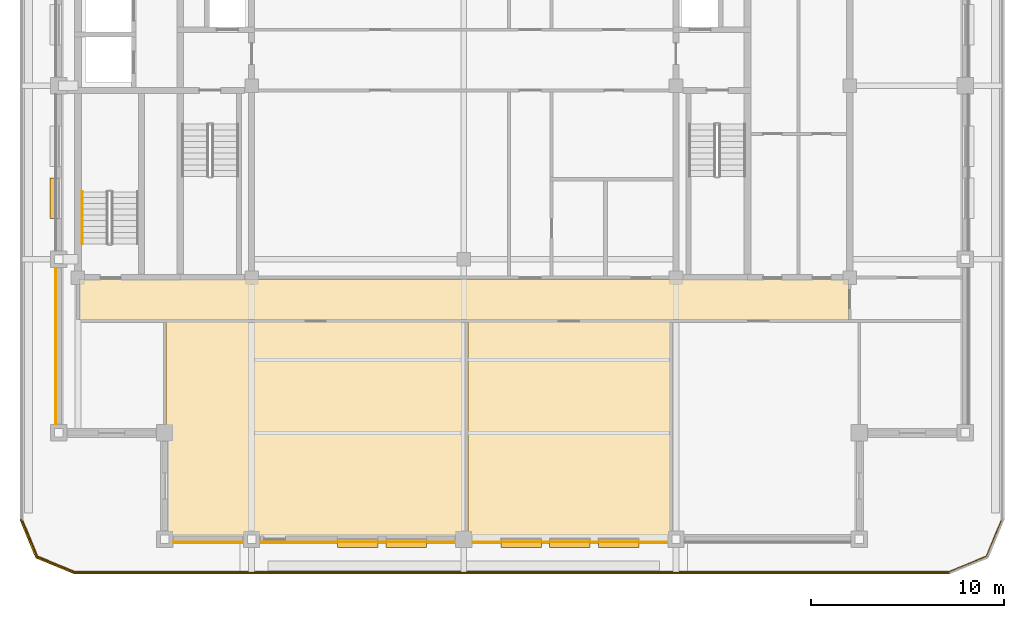
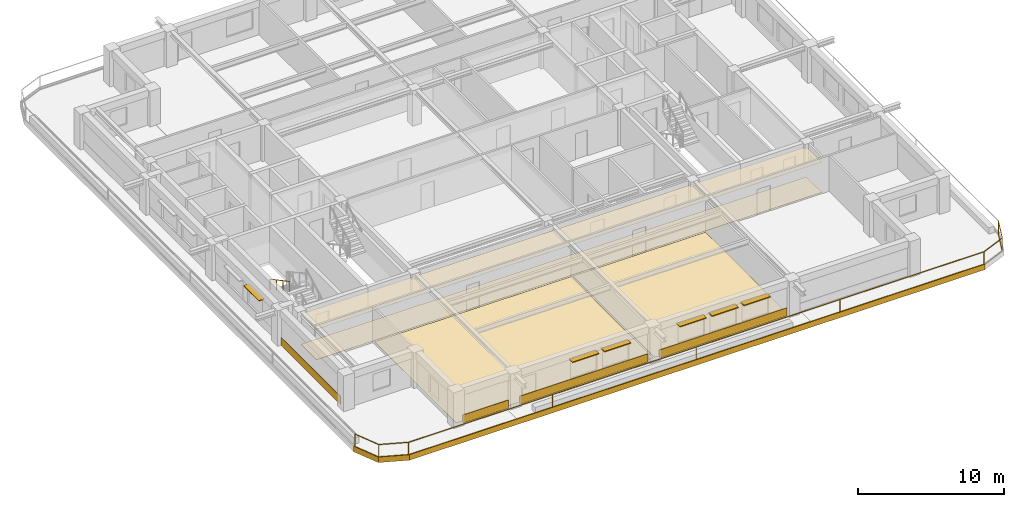
# One storey, part 7 of 11: 11 coverings, 6 shading devices, 2 railings.
"""IFC4 building model written with IfcOpenShell, lengths in metres."""

from ifc_helpers import new_model, si_unit, direction, frame, frame_2d, origin, origin_2d, place, context, subcontext, project, spatial, polyline, rectangle, outline, extrude, material, layer, layer_set, type_object, element, save


model = new_model("IFC4")

# Units and contexts
model_context = context("Model", 3, precision=1e-05, world=origin(), true_north=direction((0.0, 1.0)))
body_context = subcontext(model_context, "Body", "Model", "MODEL_VIEW")
ifc_project = project(units=[si_unit("LENGTHUNIT", "METRE"), si_unit("AREAUNIT", "SQUARE_METRE"), si_unit("VOLUMEUNIT", "CUBIC_METRE"), si_unit("PLANEANGLEUNIT", "RADIAN"), si_unit("MASSUNIT", "GRAM", prefix="KILO")], contexts=[model_context])

# Site, building, storey
site_placement = place(None, origin())
site = spatial("IfcSite", under=ifc_project, at=site_placement, CompositionType="ELEMENT")
building_placement = place(site_placement, origin())
building = spatial("IfcBuilding", under=site, at=building_placement, Name="Zulmaris Gate Convention Tower", CompositionType="ELEMENT")
storey_placement = place(building_placement, frame((0.0, 0.0, 242.969970703125)))
storey = spatial("IfcBuildingStorey", under=building, at=storey_placement, Name="L64", CompositionType="ELEMENT", Elevation=242.969970703125)

# Coverings
ifc_material_1 = material(Name="Precast concrete C40/50", Category="concrete")
ifc_layer_1 = layer(ifc_material_1, 0.0400390625, Name="Precast concrete C40/50")
ifc_layer_set_1 = layer_set([ifc_layer_1], Name="Precast concrete C40/50")
covering_type_1 = type_object("IfcCoveringType", Name="CLAD-SPANDREL-PRECAST", PredefinedType="CLADDING", material=ifc_layer_set_1)
covering_1_placement = place(storey_placement, frame((-15.044921875, -23.64990234375, 0.0), z_axis=(0.0, 0.0, 1.0), x_axis=(1.0, 0.0, 0.0)))
element("IfcCovering", 1, at=covering_1_placement, inside=storey, type_object=covering_type_1, Name="CLD-L64-S-0_0", PredefinedType="CLADDING", context=body_context, shape_type="SweptSolid", body=[
    extrude(rectangle(XDim=3.58984375, YDim=0.0400390625, at=frame_2d((1.794921875, 0.0))), origin(), (0.0, 0.0, 1.0), 0.679931640625),
])
for number, where, z_axis, x_axis, name in (
    (2, (-10.544921875, -23.64990234375, 0.0), (0.0, 0.0, 1.0), (1.0, 0.0, 0.0), "CLD-L64-S-1_0"),
    (3, (0.455078125, -23.64990234375, 0.0), (0.0, 0.0, 1.0), (1.0, 0.0, 0.0), "CLD-L64-S-2_0"),
):
    element("IfcCovering", number, at=place(storey_placement, frame(where, z_axis=z_axis, x_axis=x_axis)), inside=storey, type_object=covering_type_1, Name=name, PredefinedType="CLADDING", context=body_context, shape_type="SweptSolid", body=[
        extrude(rectangle(XDim=10.08984375, YDim=0.0400390625, at=frame_2d((5.044921875, 0.0))), origin(), (0.0, 0.0, 1.0), 0.679931640625),
    ])
covering_2_placement = place(storey_placement, frame((-21.14990234375, -9.455078125, 0.0), z_axis=(0.0, 0.0, 1.0), x_axis=(0.0, -1.0, 0.0)))
element("IfcCovering", 4, at=covering_2_placement, inside=storey, type_object=covering_type_1, Name="CLD-L64-W-0_0", PredefinedType="CLADDING", context=body_context, shape_type="SweptSolid", body=[
    extrude(rectangle(XDim=8.08984375, YDim=0.0400390625, at=frame_2d((4.044921875, 0.0))), origin(), (0.0, 0.0, 1.0), 0.679931640625),
])
ifc_material_2 = material(Name="White Glazed Architectural Precast Concrete C40/50", Category="concrete")
ifc_layer_2 = layer(ifc_material_2, 0.080078125, Name="White Glazed Architectural Precast Concrete C40/50")
ifc_layer_set_2 = layer_set([ifc_layer_2], Name="White Glazed Architectural Precast Concrete C40/50")
covering_type_2 = type_object("IfcCoveringType", Name="CLAD-TRAY-FASCIA", PredefinedType="CLADDING", material=ifc_layer_set_2)
covering_3_placement = place(storey_placement, frame((-22.962890625, -22.484619140625, -0.2900390625), z_axis=(0.0, 0.0, 1.0), x_axis=(0.382656984709, -0.923890487046, 0.0)))
element("IfcCovering", 5, at=covering_3_placement, inside=storey, type_object=covering_type_2, Name="FSC-L64-TR-00", PredefinedType="CLADDING", context=body_context, shape_type="SweptSolid", body=[
    extrude(rectangle(XDim=2.14306640625, YDim=0.080078125, at=frame_2d((1.071533203125, 0.0))), origin(), (0.0, 0.0, 1.0), 0.4599609375),
])
covering_4_placement = place(storey_placement, frame((-22.16455078125, -24.44287109375, -0.2900390625), z_axis=(0.0, 0.0, 1.0), x_axis=(0.923873803533, -0.382697263049, 0.0)))
element("IfcCovering", 6, at=covering_4_placement, inside=storey, type_object=covering_type_2, Name="FSC-L64-TR-01", PredefinedType="CLADDING", context=body_context, shape_type="SweptSolid", body=[
    extrude(rectangle(XDim=2.142822265625, YDim=0.080078125, at=frame_2d((1.0712890625, 0.0))), origin(), (0.0, 0.0, 1.0), 0.4599609375),
])
covering_5_placement = place(storey_placement, frame((-20.199951171875, -25.260009765625, -0.2900390625), z_axis=(0.0, 0.0, 1.0), x_axis=(1.0, 0.0, 0.0)))
element("IfcCovering", 7, at=covering_5_placement, inside=storey, type_object=covering_type_2, Name="FSC-L64-TR-02", PredefinedType="CLADDING", context=body_context, shape_type="SweptSolid", body=[
    extrude(rectangle(XDim=45.39990234375, YDim=0.080078125, at=frame_2d((22.699951171875, 0.0))), origin(), (0.0, 0.0, 1.0), 0.4599609375),
])
ifc_material_3 = material(Name="Mineral Fibre Acoustic Ceiling Tile")
ifc_layer_3 = layer(ifc_material_3, 0.02001953125, Name="Mineral Fibre Acoustic Ceiling Tile")
ifc_layer_set_3 = layer_set([ifc_layer_3], Name="Mineral Fibre Acoustic Ceiling Tile")
covering_type_3 = type_object("IfcCoveringType", Name="CLG-ACOUSTIC-600", PredefinedType="CEILING", material=ifc_layer_set_3)
covering_6_placement = place(storey_placement, frame((0.0, 0.0, 2.5380859375)))
element("IfcCovering", 8, at=covering_6_placement, inside=storey, type_object=covering_type_3, Name="CLG-L64-R32", PredefinedType="CEILING", context=body_context, shape_type="SweptSolid", body=[
    extrude(outline(polyline([(-19.93994140625, -12.139892578125), (19.93994140625, -12.139892578125), (19.93994140625, -10.010009765625), (-19.93994140625, -10.010009765625), (-19.93994140625, -12.139892578125)])), origin(), (0.0, 0.0, 1.0), 0.02001953125),
])
ifc_material_4 = material(Name="Woven Acoustic Wool Carpet Tile")
ifc_layer_4 = layer(ifc_material_4, 0.02001953125, Name="Woven Acoustic Wool Carpet Tile")
ifc_layer_set_4 = layer_set([ifc_layer_4], Name="Woven Acoustic Wool Carpet Tile")
covering_type_4 = type_object("IfcCoveringType", Name="FLR-CARPET-12", PredefinedType="FLOORING", material=ifc_layer_set_4)
covering_7_placement = place(storey_placement, origin())
element("IfcCovering", 9, at=covering_7_placement, inside=storey, type_object=covering_type_4, Name="FLR-L64-R32", PredefinedType="FLOORING", context=body_context, shape_type="SweptSolid", body=[
    extrude(outline(polyline([(-19.93994140625, -12.139892578125), (19.93994140625, -12.139892578125), (19.93994140625, -10.010009765625), (-19.93994140625, -10.010009765625), (-19.93994140625, -12.139892578125)])), origin(), (0.0, 0.0, 1.0), 0.02001953125),
])
covering_8_placement = place(storey_placement, origin())
element("IfcCovering", 10, at=covering_8_placement, inside=storey, type_object=covering_type_4, Name="FLR-L64-R40", PredefinedType="FLOORING", context=body_context, shape_type="SweptSolid", body=[
    extrude(outline(polyline([(0.2099609375, -23.43994140625), (10.68994140625, -23.43994140625), (10.68994140625, -12.260009765625), (0.2099609375, -12.260009765625), (0.2099609375, -23.43994140625)])), origin(), (0.0, 0.0, 1.0), 0.02001953125),
])
ifc_material_5 = material(Name="Engineered Teak Parquet Flooring")
ifc_layer_5 = layer(ifc_material_5, 0.02001953125, Name="Engineered Teak Parquet Flooring")
ifc_layer_set_5 = layer_set([ifc_layer_5], Name="Engineered Teak Parquet Flooring")
covering_type_5 = type_object("IfcCoveringType", Name="FLR-TIMBER-18", PredefinedType="FLOORING", material=ifc_layer_set_5)
covering_9_placement = place(storey_placement, origin())
element("IfcCovering", 11, at=covering_9_placement, inside=storey, type_object=covering_type_5, Name="FLR-L64-R39", PredefinedType="FLOORING", context=body_context, shape_type="SweptSolid", body=[
    extrude(outline(polyline([(-15.43994140625, -23.43994140625), (0.090087890625, -23.43994140625), (0.090087890625, -12.260009765625), (-15.43994140625, -12.260009765625), (-15.43994140625, -23.43994140625)])), origin(), (0.0, 0.0, 1.0), 0.02001953125),
])

# Railings
ifc_material_6 = material(Name="Laminated Glass and Stainless Steel", Category="steel")
railing_type_1 = type_object("IfcRailingType", Name="RL-BALC-1150", PredefinedType="BALUSTRADE", material=ifc_material_6)
railing_1_placement = place(storey_placement, frame((-22.8798828125, -22.5, 0.010009765625)))
element("IfcRailing", 12, at=railing_1_placement, inside=storey, type_object=railing_type_1, Name="RL-L64-BALC-S", PredefinedType="BALUSTRADE", context=body_context, shape_type="SweptSolid", body=[
    extrude(rectangle(XDim=0.048095703125, YDim=0.048095703125, at=origin_2d()), frame((0.0, 0.0, 1.1259765625), z_axis=(0.382670664694, -0.92388482095, 0.0), x_axis=(0.92388482095, 0.382670664694, 0.0)), (0.0, 0.0, 1.0), 2.051025390625),
    extrude(rectangle(XDim=0.048095703125, YDim=0.048095703125, at=origin_2d()), frame((0.0, 0.0, 0.02392578125), z_axis=(0.382670664694, -0.92388482095, 0.0), x_axis=(0.92388482095, 0.382670664694, 0.0)), (0.0, 0.0, 1.0), 2.051025390625),
    extrude(rectangle(XDim=0.048095703125, YDim=0.048095703125, at=origin_2d()), frame((0.784912109375, -1.89501953125, 1.1259765625), z_axis=(0.92388482095, -0.382670664694, 0.0), x_axis=(0.382670664694, 0.92388482095, 0.0)), (0.0, 0.0, 1.0), 2.051025390625),
    extrude(rectangle(XDim=0.048095703125, YDim=0.048095703125, at=origin_2d()), frame((0.784912109375, -1.89501953125, 0.02392578125), z_axis=(0.92388482095, -0.382670664694, 0.0), x_axis=(0.382670664694, 0.92388482095, 0.0)), (0.0, 0.0, 1.0), 2.051025390625),
    extrude(rectangle(XDim=0.048095703125, YDim=0.048095703125, at=origin_2d()), frame((2.679931640625, -2.679931640625, 1.1259765625), z_axis=(1.0, 0.0, 0.0), x_axis=(0.0, 1.0, 0.0)), (0.0, 0.0, 1.0), 45.39990234375),
    extrude(rectangle(XDim=0.048095703125, YDim=0.048095703125, at=origin_2d()), frame((2.679931640625, -2.679931640625, 0.02392578125), z_axis=(1.0, 0.0, 0.0), x_axis=(0.0, 1.0, 0.0)), (0.0, 0.0, 1.0), 45.39990234375),
    extrude(rectangle(XDim=0.048095703125, YDim=0.048095703125, at=origin_2d()), frame((48.079833984375, -2.679931640625, 1.1259765625), z_axis=(0.92388482095, 0.382670664694, 0.0), x_axis=(-0.382670664694, 0.92388482095, 0.0)), (0.0, 0.0, 1.0), 2.051025390625),
    extrude(rectangle(XDim=0.048095703125, YDim=0.048095703125, at=origin_2d()), frame((48.079833984375, -2.679931640625, 0.02392578125), z_axis=(0.92388482095, 0.382670664694, 0.0), x_axis=(-0.382670664694, 0.92388482095, 0.0)), (0.0, 0.0, 1.0), 2.051025390625),
    extrude(rectangle(XDim=0.048095703125, YDim=0.048095703125, at=origin_2d()), frame((49.974853515625, -1.89501953125, 1.1259765625), z_axis=(0.382670664694, 0.92388482095, 0.0), x_axis=(-0.92388482095, 0.382670664694, 0.0)), (0.0, 0.0, 1.0), 2.051025390625),
    extrude(rectangle(XDim=0.048095703125, YDim=0.048095703125, at=origin_2d()), frame((49.974853515625, -1.89501953125, 0.02392578125), z_axis=(0.382670664694, 0.92388482095, 0.0), x_axis=(-0.92388482095, 0.382670664694, 0.0)), (0.0, 0.0, 1.0), 2.051025390625),
    extrude(rectangle(XDim=0.0419921875, YDim=0.0419921875, at=origin_2d()), origin(), (0.0, 0.0, 1.0), 1.101806640625),
    extrude(rectangle(XDim=0.0419921875, YDim=0.0419921875, at=origin_2d()), frame((0.784912109375, -1.89501953125, 0.0)), (0.0, 0.0, 1.0), 1.101806640625),
    extrude(rectangle(XDim=0.0419921875, YDim=0.0419921875, at=origin_2d()), frame((2.679931640625, -2.679931640625, 0.0)), (0.0, 0.0, 1.0), 1.101806640625),
    extrude(rectangle(XDim=0.0419921875, YDim=0.0419921875, at=origin_2d()), frame((14.02978515625, -2.679931640625, 0.0)), (0.0, 0.0, 1.0), 1.101806640625),
    extrude(rectangle(XDim=0.0419921875, YDim=0.0419921875, at=origin_2d()), frame((25.3798828125, -2.679931640625, 0.0)), (0.0, 0.0, 1.0), 1.101806640625),
    extrude(rectangle(XDim=0.0419921875, YDim=0.0419921875, at=origin_2d()), frame((36.72998046875, -2.679931640625, 0.0)), (0.0, 0.0, 1.0), 1.101806640625),
    extrude(rectangle(XDim=0.0419921875, YDim=0.0419921875, at=origin_2d()), frame((48.079833984375, -2.679931640625, 0.0)), (0.0, 0.0, 1.0), 1.101806640625),
    extrude(rectangle(XDim=0.0419921875, YDim=0.0419921875, at=origin_2d()), frame((49.974853515625, -1.89501953125, 0.0)), (0.0, 0.0, 1.0), 1.101806640625),
    extrude(rectangle(XDim=0.0419921875, YDim=0.0419921875, at=origin_2d()), frame((50.759765625, 0.0, 0.0)), (0.0, 0.0, 1.0), 1.101806640625),
])
ifc_material_7 = material(Name="Brushed Stainless Steel", Category="steel")
railing_type_2 = type_object("IfcRailingType", Name="RL-STH-900", PredefinedType="HANDRAIL", material=ifc_material_7)
railing_2_placement = place(storey_placement, frame((-19.77001953125, -5.5, 1.776611328125)))
element("IfcRailing", 13, at=railing_2_placement, inside=storey, type_object=railing_type_2, Name="L64 ST-3 stair handrail 2", PredefinedType="HANDRAIL", context=body_context, shape_type="SweptSolid", body=[
    extrude(rectangle(XDim=0.048095703125, YDim=0.048095703125, at=origin_2d()), frame((0.0, 0.0, 0.8759765625), z_axis=(0.0, -0.880532452117, 0.47398586558), x_axis=(1.0, 0.0, 0.0)), (0.0, 0.0, 1.0), 3.066162109375),
    extrude(rectangle(XDim=0.0419921875, YDim=0.0419921875, at=origin_2d()), origin(), (0.0, 0.0, 1.0), 0.851806640625),
    extrude(rectangle(XDim=0.0419921875, YDim=0.0419921875, at=origin_2d()), frame((0.0, -0.89990234375, 0.484375)), (0.0, 0.0, 1.0), 0.851806640625),
    extrude(rectangle(XDim=0.0419921875, YDim=0.0419921875, at=origin_2d()), frame((0.0, -1.800048828125, 0.968994140625)), (0.0, 0.0, 1.0), 0.851806640625),
    extrude(rectangle(XDim=0.0419921875, YDim=0.0419921875, at=origin_2d()), frame((0.0, -2.699951171875, 1.453369140625)), (0.0, 0.0, 1.0), 0.851806640625),
])

# Shading devices
ifc_material_8 = material(Name="Glazed Ceramic Terracotta", Category="masonry")
ifc_layer_6 = layer(ifc_material_8, 0.070068359375, Name="Glazed Ceramic Terracotta")
ifc_layer_set_6 = layer_set([ifc_layer_6], Name="Glazed Ceramic Terracotta")
shading_device_type = type_object("IfcShadingDeviceType", Name="SHD-SUNSHADE-TC", PredefinedType="AWNING", material=ifc_layer_set_6)
for number, where, z_axis, x_axis, name in (
    (14, (-6.550048828125, -23.719970703125, 2.22998046875), (0.0, 0.0, 1.0), (1.0, 0.0, 0.0), "SHD-EW-L64-S-1_0-2"),
    (15, (-4.027099609375, -23.719970703125, 2.22998046875), (0.0, 0.0, 1.0), (1.0, 0.0, 0.0), "SHD-EW-L64-S-1_0-3"),
    (16, (1.927001953125, -23.719970703125, 2.22998046875), (0.0, 0.0, 1.0), (1.0, 0.0, 0.0), "SHD-EW-L64-S-2_0-1"),
    (17, (4.449951171875, -23.719970703125, 2.22998046875), (0.0, 0.0, 1.0), (1.0, 0.0, 0.0), "SHD-EW-L64-S-2_0-2"),
    (18, (6.972900390625, -23.719970703125, 2.22998046875), (0.0, 0.0, 1.0), (1.0, 0.0, 0.0), "SHD-EW-L64-S-2_0-3"),
):
    element("IfcShadingDevice", number, at=place(storey_placement, frame(where, z_axis=z_axis, x_axis=x_axis)), inside=storey, type_object=shading_device_type, Name=name, PredefinedType="AWNING", context=body_context, shape_type="SweptSolid", body=[
        extrude(rectangle(XDim=2.10009765625, YDim=0.43994140625, at=frame_2d((1.050048828125, 0.0))), origin(), (0.0, 0.0, 1.0), 0.070068359375),
    ])
shading_device_placement = place(storey_placement, frame((-21.219970703125, -4.798095703125, 2.22998046875), z_axis=(0.0, 0.0, 1.0), x_axis=(0.0, -1.0, 0.0)))
element("IfcShadingDevice", 19, at=shading_device_placement, inside=storey, type_object=shading_device_type, Name="SHD-EW-L64-W-1_0-2", PredefinedType="AWNING", context=body_context, shape_type="SweptSolid", body=[
    extrude(rectangle(XDim=2.099853515625, YDim=0.43994140625, at=frame_2d((1.0498046875, 0.0))), origin(), (0.0, 0.0, 1.0), 0.070068359375),
])

save(model, "model.ifc")
